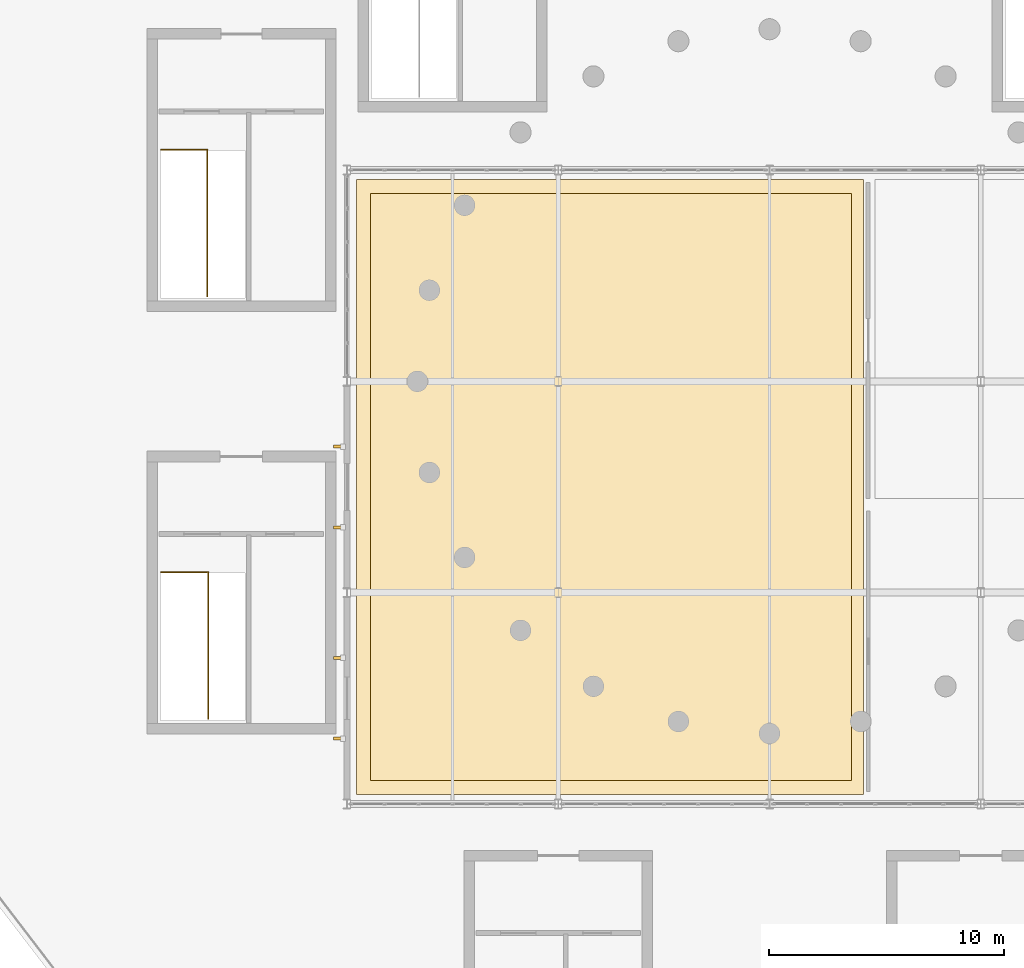
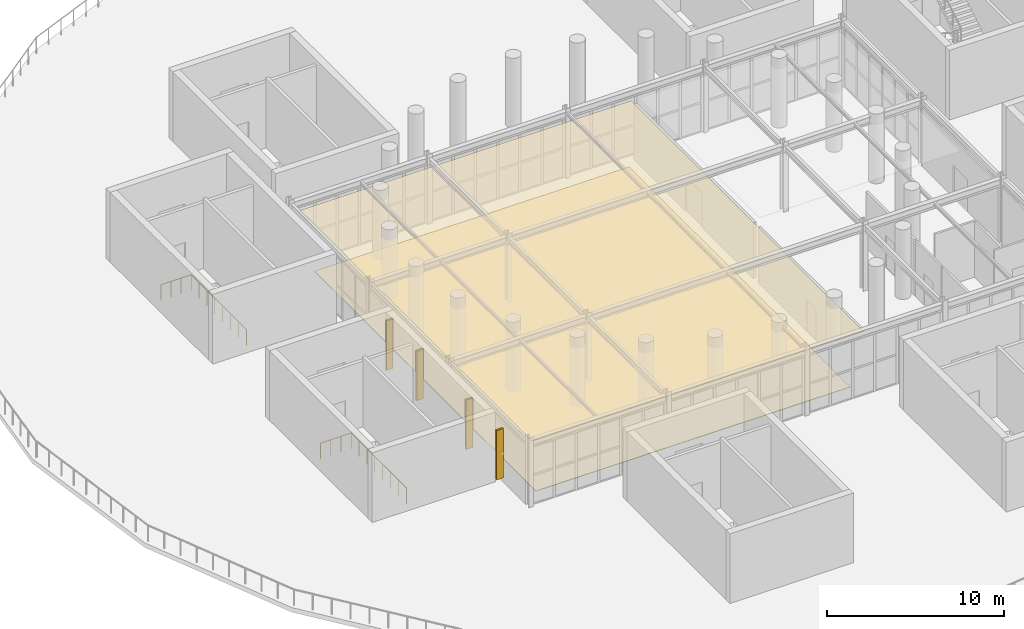
# One storey, part 27 of 29: 4 shading devices, 2 coverings, 2 railings.
"""IFC4 building model written with IfcOpenShell, lengths in metres."""

from ifc_helpers import new_model, si_unit, direction, frame, origin, origin_2d, place, context, subcontext, project, spatial, polyline, rectangle, circle, outline, extrude, material, layer, layer_set, type_object, element, save


model = new_model("IFC4")

# Units and contexts
model_context = context("Model", 3, precision=1e-05, world=origin(), true_north=direction((0.0, 1.0)))
body_context = subcontext(model_context, "Body", "Model", "MODEL_VIEW")
ifc_project = project(units=[si_unit("LENGTHUNIT", "METRE"), si_unit("AREAUNIT", "SQUARE_METRE"), si_unit("VOLUMEUNIT", "CUBIC_METRE"), si_unit("PLANEANGLEUNIT", "RADIAN"), si_unit("MASSUNIT", "GRAM", prefix="KILO")], contexts=[model_context])

# Site, building, storey
site_placement = place(None, origin())
site = spatial("IfcSite", under=ifc_project, at=site_placement, CompositionType="ELEMENT")
building_placement = place(site_placement, origin())
building = spatial("IfcBuilding", under=site, at=building_placement, Name="Dornveld Trade and Exhibition Forum", CompositionType="ELEMENT")
storey_placement = place(building_placement, frame((0.0, 0.0, 21.60009765625)))
storey = spatial("IfcBuildingStorey", under=building, at=storey_placement, Name="L04", CompositionType="ELEMENT", Elevation=21.60009765625)

# Coverings
ifc_material_1 = material(Name="Suspended timber-slat acoustic ceiling", Category="wood")
ifc_layer_1 = layer(ifc_material_1, 0.034912109375)
ifc_layer_set_1 = layer_set([ifc_layer_1], Name="Suspended timber-slat acoustic ceiling")
covering_type_1 = type_object("IfcCoveringType", Name="COV-CLG-ACOUST", PredefinedType="CEILING", material=ifc_layer_set_1)
covering_1_placement = place(storey_placement, frame((0.0, 0.0, 4.02001953125)))
element("IfcCovering", 1, at=covering_1_placement, inside=storey, type_object=covering_type_1, Name="L04 acoustic timber-slat ceiling 5", PredefinedType="CEILING", context=body_context, shape_type="SweptSolid", body=[
    extrude(outline(polyline([(99.39990234375, 63.39990234375), (121.0, 63.39990234375), (121.0, 89.60009765625), (99.39990234375, 89.60009765625), (99.39990234375, 63.39990234375)])), origin(), (0.0, 0.0, 1.0), 0.034912109375),
])
ifc_material_2 = material(Name="Polished Namibian granite terrazzo flooring", Category="masonry")
ifc_layer_2 = layer(ifc_material_2, 0.030029296875)
ifc_layer_set_2 = layer_set([ifc_layer_2], Name="Polished Namibian granite terrazzo flooring")
covering_type_2 = type_object("IfcCoveringType", Name="COV-FLR-TERR", PredefinedType="FLOORING", material=ifc_layer_set_2)
covering_2_placement = place(storey_placement, origin())
element("IfcCovering", 2, at=covering_2_placement, inside=storey, type_object=covering_type_2, Name="L04 architectural floor finish 6", PredefinedType="FLOORING", context=body_context, shape_type="SweptSolid", body=[
    extrude(outline(polyline([(100.0, 64.0), (120.5, 64.0), (120.5, 89.0), (100.0, 89.0), (100.0, 64.0)])), origin(), (0.0, 0.0, 1.0), 0.02978515625),
])

# Railings
ifc_material_3 = material(Name="Painted steel S355J2 stair-well guard", Category="steel")
railing_type = type_object("IfcRailingType", Name="RL-WELL-110", PredefinedType="GUARDRAIL", material=ifc_material_3)
railing_1_placement = place(storey_placement, frame((91.080078125, 90.8701171875, 0.0)))
element("IfcRailing", 3, at=railing_1_placement, inside=storey, type_object=railing_type, Name="CORE-04 L04 stair-well top guard", PredefinedType="GUARDRAIL", context=body_context, shape_type="SweptSolid", body=[
    extrude(circle(Radius=0.02392578125, at=origin_2d()), frame((0.0, 0.0, 1.076171875), z_axis=(1.0, 0.0, 0.0), x_axis=(0.0, 1.0, 0.0)), (0.0, 0.0, 1.0), 1.969970703125),
    extrude(circle(Radius=0.02392578125, at=origin_2d()), frame((1.969970703125, 0.0, 1.076171875), z_axis=(0.0, -1.0, 0.0), x_axis=(1.0, 0.0, 0.0)), (0.0, 0.0, 1.0), 6.25),
    extrude(circle(Radius=0.02001953125, at=origin_2d()), origin(), (0.0, 0.0, 1.0), 1.052001953125),
    extrude(circle(Radius=0.02001953125, at=origin_2d()), frame((0.65673828125, 0.0, 0.0)), (0.0, 0.0, 1.0), 1.052001953125),
    extrude(circle(Radius=0.02001953125, at=origin_2d()), frame((1.313232421875, 0.0, 0.0)), (0.0, 0.0, 1.0), 1.052001953125),
    extrude(circle(Radius=0.02001953125, at=origin_2d()), frame((1.969970703125, 0.0, 0.0)), (0.0, 0.0, 1.0), 1.052001953125),
    extrude(circle(Radius=0.02001953125, at=origin_2d()), frame((1.969970703125, -0.892822265625, 0.0)), (0.0, 0.0, 1.0), 1.052001953125),
    extrude(circle(Radius=0.02001953125, at=origin_2d()), frame((1.969970703125, -1.78564453125, 0.0)), (0.0, 0.0, 1.0), 1.052001953125),
    extrude(circle(Radius=0.02001953125, at=origin_2d()), frame((1.969970703125, -2.678466796875, 0.0)), (0.0, 0.0, 1.0), 1.052001953125),
    extrude(circle(Radius=0.02001953125, at=origin_2d()), frame((1.969970703125, -3.571533203125, 0.0)), (0.0, 0.0, 1.0), 1.052001953125),
    extrude(circle(Radius=0.02001953125, at=origin_2d()), frame((1.969970703125, -4.46435546875, 0.0)), (0.0, 0.0, 1.0), 1.052001953125),
    extrude(circle(Radius=0.02001953125, at=origin_2d()), frame((1.969970703125, -5.357177734375, 0.0)), (0.0, 0.0, 1.0), 1.052001953125),
    extrude(circle(Radius=0.02001953125, at=origin_2d()), frame((1.969970703125, -6.25, 0.0)), (0.0, 0.0, 1.0), 1.052001953125),
])
railing_2_placement = place(storey_placement, frame((91.080078125, 72.8701171875, 0.0)))
element("IfcRailing", 4, at=railing_2_placement, inside=storey, type_object=railing_type, Name="CORE-05 L04 stair-well top guard", PredefinedType="GUARDRAIL", context=body_context, shape_type="SweptSolid", body=[
    extrude(circle(Radius=0.02392578125, at=origin_2d()), frame((0.0, 0.0, 1.076171875), z_axis=(1.0, 0.0, 0.0), x_axis=(0.0, 1.0, 0.0)), (0.0, 0.0, 1.0), 2.0048828125),
    extrude(circle(Radius=0.02392578125, at=origin_2d()), frame((2.0048828125, 0.0, 1.076171875), z_axis=(0.0, -1.0, 0.0), x_axis=(1.0, 0.0, 0.0)), (0.0, 0.0, 1.0), 6.25),
    extrude(circle(Radius=0.02001953125, at=origin_2d()), origin(), (0.0, 0.0, 1.0), 1.052001953125),
    extrude(circle(Radius=0.02001953125, at=origin_2d()), frame((0.668212890625, 0.0, 0.0)), (0.0, 0.0, 1.0), 1.052001953125),
    extrude(circle(Radius=0.02001953125, at=origin_2d()), frame((1.336669921875, 0.0, 0.0)), (0.0, 0.0, 1.0), 1.052001953125),
    extrude(circle(Radius=0.02001953125, at=origin_2d()), frame((2.0048828125, 0.0, 0.0)), (0.0, 0.0, 1.0), 1.052001953125),
    extrude(circle(Radius=0.02001953125, at=origin_2d()), frame((2.0048828125, -0.892822265625, 0.0)), (0.0, 0.0, 1.0), 1.052001953125),
    extrude(circle(Radius=0.02001953125, at=origin_2d()), frame((2.0048828125, -1.78564453125, 0.0)), (0.0, 0.0, 1.0), 1.052001953125),
    extrude(circle(Radius=0.02001953125, at=origin_2d()), frame((2.0048828125, -2.678466796875, 0.0)), (0.0, 0.0, 1.0), 1.052001953125),
    extrude(circle(Radius=0.02001953125, at=origin_2d()), frame((2.0048828125, -3.571533203125, 0.0)), (0.0, 0.0, 1.0), 1.052001953125),
    extrude(circle(Radius=0.02001953125, at=origin_2d()), frame((2.0048828125, -4.46435546875, 0.0)), (0.0, 0.0, 1.0), 1.052001953125),
    extrude(circle(Radius=0.02001953125, at=origin_2d()), frame((2.0048828125, -5.357177734375, 0.0)), (0.0, 0.0, 1.0), 1.052001953125),
    extrude(circle(Radius=0.02001953125, at=origin_2d()), frame((2.0048828125, -6.25, 0.0)), (0.0, 0.0, 1.0), 1.052001953125),
])

# Shading devices
ifc_material_4 = material(Name="Dark-bronze anodised aluminium", Category="aluminium")
ifc_layer_3 = layer(ifc_material_4, 0.1201171875)
ifc_layer_set_3 = layer_set([ifc_layer_3], Name="Dark-bronze anodised aluminium")
shading_device_type = type_object("IfcShadingDeviceType", Name="SHD-FIN-450", PredefinedType="JALOUSIE", material=ifc_layer_set_3)
for number, where, z_axis, x_axis, name in (
    (5, (98.655029296875, 69.22021484375, 0.300048828125), (0.0, 0.0, 1.0), (0.0, -1.0, 0.0), "L04 vertical solar brise-soleil fin 6"),
    (6, (98.655029296875, 65.77978515625, 0.300048828125), (0.0, 0.0, 1.0), (0.0, -1.0, 0.0), "L04 vertical solar brise-soleil fin 7"),
    (7, (98.655029296875, 78.22021484375, 0.300048828125), (0.0, 0.0, 1.0), (0.0, -1.0, 0.0), "L04 vertical solar brise-soleil fin 8"),
    (8, (98.655029296875, 74.77978515625, 0.300048828125), (0.0, 0.0, 1.0), (0.0, -1.0, 0.0), "L04 vertical solar brise-soleil fin 9"),
):
    element("IfcShadingDevice", number, at=place(storey_placement, frame(where, z_axis=z_axis, x_axis=x_axis)), inside=storey, type_object=shading_device_type, Name=name, PredefinedType="JALOUSIE", context=body_context, shape_type="SweptSolid", body=[
        extrude(rectangle(XDim=0.1201171875, YDim=0.449951171875, at=origin_2d()), origin(), (0.0, 0.0, 1.0), 3.39990234375),
    ])

save(model, "model.ifc")
